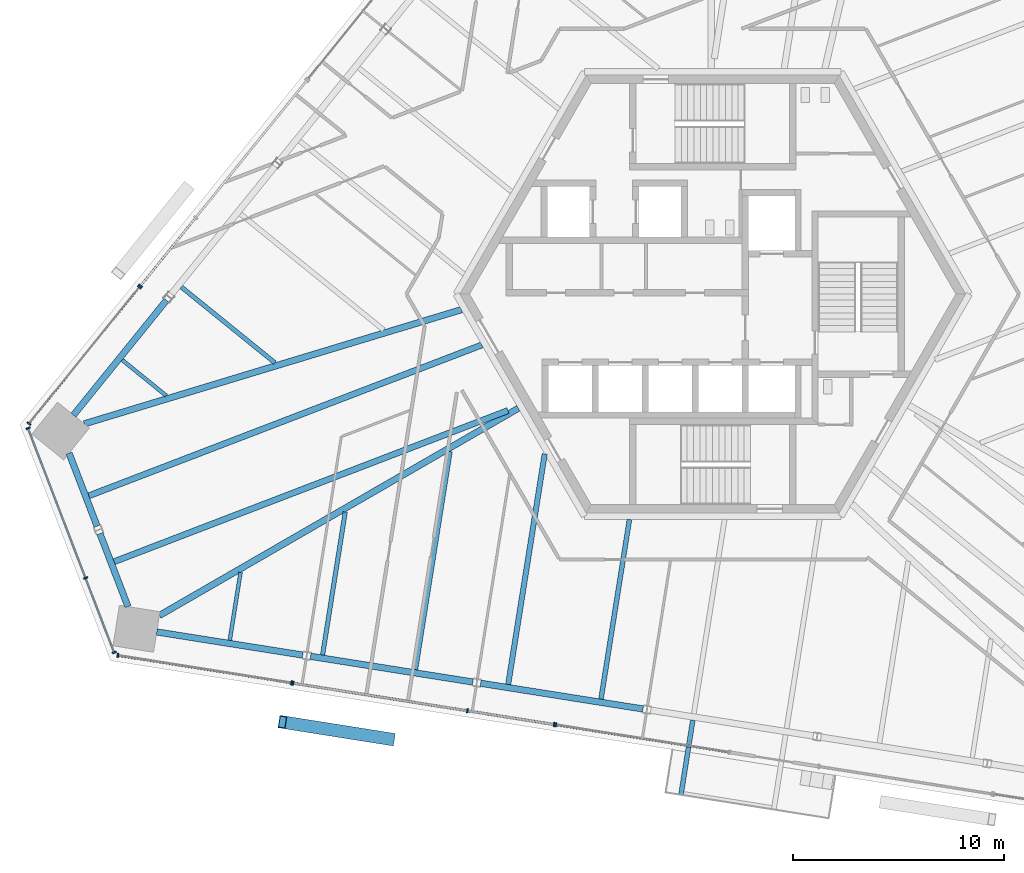
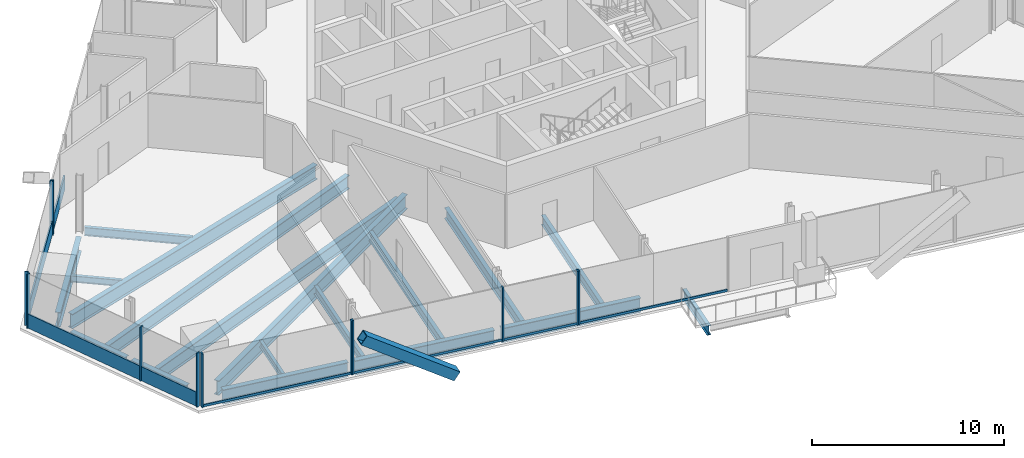
# One storey, part 4 of 19: 21 members, 18 beams, 6 elements without a shape of their own.
"""IFC4 building model written with IfcOpenShell, lengths in metres."""

from ifc_helpers import new_model, si_unit, direction, frame, origin, origin_2d, place, context, subcontext, project, spatial, rectangle, hollow_rectangle, i_section, extrude, source, transform, mapped, material, material_profile, profile_set, type_object, element, aggregate, save


model = new_model("IFC4")

# Units and contexts
model_context = context("Model", 3, precision=1e-05, world=origin(), true_north=direction((0.0, 1.0)))
body_context = subcontext(model_context, "Body", "Model", "MODEL_VIEW")
ifc_project = project(units=[si_unit("LENGTHUNIT", "METRE"), si_unit("AREAUNIT", "SQUARE_METRE"), si_unit("VOLUMEUNIT", "CUBIC_METRE"), si_unit("PLANEANGLEUNIT", "RADIAN"), si_unit("MASSUNIT", "GRAM", prefix="KILO")], contexts=[model_context])

# Site, building, storey
site_placement = place(None, origin())
site = spatial("IfcSite", under=ifc_project, at=site_placement, CompositionType="ELEMENT")
building_placement = place(site_placement, origin())
building = spatial("IfcBuilding", under=site, at=building_placement, Name="Triune Harvest Tower", CompositionType="ELEMENT")
storey_placement = place(building_placement, frame((0.0, 0.0, 164.10009765625)))
storey = spatial("IfcBuildingStorey", under=building, at=storey_placement, Name="L42", CompositionType="ELEMENT", Elevation=164.10009765625)

# Curtain wall, member
ifc_material_1 = material(Name="Aluminium bronze anodised", Category="aluminium")
curtain_wall_type_1 = type_object("IfcCurtainWallType", Name="CW-10 Balcony window wall with insulated spandrel infill", PredefinedType="NOTDEFINED", material=ifc_material_1)
curtain_wall_1_placement = place(storey_placement, origin())
curtain_wall_1 = element("IfcCurtainWall", 1, at=curtain_wall_1_placement, inside=storey, type_object=curtain_wall_type_1, Name="CW-10 B4-F5 L42 run 1001")
ifc_material_2 = material(Name="Aluminium bronze anodised", Category="aluminium")
ifc_material_profile_1 = material_profile(ifc_material_2, rectangle(XDim=0.090087890625, YDim=0.14990234375, at=origin_2d()), Name="TR-6 transom 90 x 150")
ifc_profile_set_1 = profile_set([ifc_material_profile_1], Name="Aluminium bronze anodised")
member_type_1 = type_object("IfcMemberType", Name="TR-6 transom 90 x 150", PredefinedType="USERDEFINED", material=ifc_profile_set_1)
member_1_placement = place(storey_placement, frame((-19.879150390625, -18.46826171875, 0.074951171875), z_axis=(0.987688001142, -0.156436608248, 0.0), x_axis=(0.156436608248, 0.987688001142, 0.0)))
member_1 = element("IfcMember", 2, at=member_1_placement, type_object=member_type_1, Name="CW-10 transom B4-F5 1001.1", ObjectType="TRANSOM", PredefinedType="USERDEFINED", context=body_context, shape_type="SweptSolid", body=[
    extrude(rectangle(XDim=0.090087890625, YDim=0.14990234375, at=origin_2d()), origin(), (0.0, 0.0, 1.0), 8.30419921875),
])

# Beams
ifc_material_3 = material(Name="Steel ASTM A992 Gr 50", Category="steel")
ifc_material_profile_2 = material_profile(ifc_material_3, i_section(OverallWidth=0.3046875, OverallDepth=0.914306640625, WebThickness=0.0166015625, FlangeThickness=0.02587890625, at=origin_2d()), Name="W36x160")
ifc_profile_set_2 = profile_set([ifc_material_profile_2], Name="Steel ASTM A992 Gr 50")
beam_type_1 = type_object("IfcBeamType", Name="SB-1 Spandrel beam W36x160", PredefinedType="SPANDREL", material=ifc_profile_set_2)
shared_shape_1 = source(origin(), body_context, "Body", "SweptSolid", [
    extrude(i_section(OverallWidth=0.3046875, OverallDepth=0.914306640625, WebThickness=0.0166015625, FlangeThickness=0.02587890625, at=origin_2d()), origin(), (0.0, 0.0, 1.0), 7.013427734375),
])
for number, where, z_axis, x_axis, name in (
    (3, (-25.920166015625, -0.2890625, -0.6171875), (-0.629311381255, -0.777153257358, 0.0), (0.777153257358, -0.629311381255, 0.0), "beam/L42/SB14"),
    (4, (-26.3828125, -16.031982421875, -0.6171875), (0.987682109987, -0.156473798484, 0.0), (0.156473798484, 0.987682109987, 0.0), "beam/L42/SB17"),
):
    element("IfcBeam", number, at=place(storey_placement, frame(where, z_axis=z_axis, x_axis=x_axis)), inside=storey, type_object=beam_type_1, Name=name, PredefinedType="SPANDREL", context=body_context, shape_type="MappedRepresentation", body=[
        mapped(shared_shape_1, transform((0.0, 0.0, 0.0), scale=1.0)),
    ])
shared_shape_2 = source(origin(), body_context, "Body", "SweptSolid", [
    extrude(i_section(OverallWidth=0.3046875, OverallDepth=0.914306640625, WebThickness=0.0166015625, FlangeThickness=0.02587890625, at=origin_2d()), origin(), (0.0, 0.0, 1.0), 3.71240234375),
])
beam_1_placement = place(storey_placement, frame((-30.5439453125, -7.548095703125, -0.6171875), z_axis=(0.358406131368, -0.933565768973, 0.0), x_axis=(0.933565768973, 0.358406131368, 0.0)))
element("IfcBeam", 5, at=beam_1_placement, inside=storey, type_object=beam_type_1, Name="beam/L42/SB15", PredefinedType="SPANDREL", context=body_context, shape_type="MappedRepresentation", body=[
    mapped(shared_shape_2, transform((0.0, 0.0, 0.0), scale=1.0)),
])
shared_shape_3 = source(origin(), body_context, "Body", "SweptSolid", [
    extrude(i_section(OverallWidth=0.3046875, OverallDepth=0.914306640625, WebThickness=0.0166015625, FlangeThickness=0.02587890625, at=origin_2d()), origin(), (0.0, 0.0, 1.0), 7.801513671875),
])
for number, where, z_axis, x_axis, name in (
    (6, (-19.087158203125, -17.187744140625, -0.6171875), (0.98768800071, -0.156436610974, 0.0), (0.156436610974, 0.98768800071, 0.0), "beam/L42/SB18"),
    (7, (-11.0126953125, -18.466552734375, -0.6171875), (0.98768800071, -0.156436610974, 0.0), (0.156436610974, 0.98768800071, 0.0), "beam/L42/SB19"),
):
    element("IfcBeam", number, at=place(storey_placement, frame(where, z_axis=z_axis, x_axis=x_axis)), inside=storey, type_object=beam_type_1, Name=name, PredefinedType="SPANDREL", context=body_context, shape_type="MappedRepresentation", body=[
        mapped(shared_shape_3, transform((0.0, 0.0, 0.0), scale=1.0)),
    ])
shared_shape_4 = source(origin(), body_context, "Body", "SweptSolid", [
    extrude(i_section(OverallWidth=0.3046875, OverallDepth=0.914306640625, WebThickness=0.0166015625, FlangeThickness=0.02587890625, at=origin_2d()), origin(), (0.0, 0.0, 1.0), 3.712646484375),
])
beam_2_placement = place(storey_placement, frame((-29.07958984375, -11.362548828125, -0.6171875), z_axis=(0.358326814132, -0.933596215863, 0.0), x_axis=(0.933596215863, 0.358326814132, 0.0)))
element("IfcBeam", 8, at=beam_2_placement, inside=storey, type_object=beam_type_1, Name="beam/L42/SB16", PredefinedType="SPANDREL", context=body_context, shape_type="MappedRepresentation", body=[
    mapped(shared_shape_4, transform((0.0, 0.0, 0.0), scale=1.0)),
])
ifc_material_4 = material(Name="Steel ASTM A992 Gr 50", Category="steel")
ifc_material_profile_3 = material_profile(ifc_material_4, i_section(OverallWidth=0.307373046875, OverallDepth=0.922119140625, WebThickness=0.018310546875, FlangeThickness=0.030029296875, at=origin_2d()), Name="W36x182")
ifc_profile_set_3 = profile_set([ifc_material_profile_3], Name="Steel ASTM A992 Gr 50")
beam_type_2 = type_object("IfcBeamType", Name="HG-2 Hip girder W36x182", PredefinedType="BEAM", material=ifc_profile_set_3)
shared_shape_5 = source(origin(), body_context, "Body", "SweptSolid", [
    extrude(i_section(OverallWidth=0.307373046875, OverallDepth=0.922119140625, WebThickness=0.018310546875, FlangeThickness=0.030029296875, at=origin_2d()), origin(), (0.0, 0.0, 1.0), 19.670166015625),
])
beam_3_placement = place(storey_placement, frame((-26.25927734375, -15.252197265625, -0.62109375), z_axis=(0.866028709221, 0.499994274773, 0.0), x_axis=(-0.499994274773, 0.866028709221, 0.0)))
element("IfcBeam", 9, at=beam_3_placement, inside=storey, type_object=beam_type_2, Name="beam/L42/HG6", PredefinedType="BEAM", context=body_context, shape_type="MappedRepresentation", body=[
    mapped(shared_shape_5, transform((0.0, 0.0, 0.0), scale=1.0)),
])
shared_shape_6 = source(origin(), body_context, "Body", "SweptSolid", [
    extrude(i_section(OverallWidth=0.307373046875, OverallDepth=0.922119140625, WebThickness=0.018310546875, FlangeThickness=0.030029296875, at=origin_2d()), origin(), (0.0, 0.0, 1.0), 18.69580078125),
])
beam_4_placement = place(storey_placement, frame((-29.819580078125, -6.15576171875, -0.62109375), z_axis=(0.957096860763, 0.289768181686, 0.0), x_axis=(-0.289768181686, 0.957096860763, 0.0)))
element("IfcBeam", 10, at=beam_4_placement, inside=storey, type_object=beam_type_2, Name="beam/L42/HG5", PredefinedType="BEAM", context=body_context, shape_type="MappedRepresentation", body=[
    mapped(shared_shape_6, transform((0.0, 0.0, 0.0), scale=1.0)),
])
ifc_material_5 = material(Name="Steel ASTM A992 Gr 50", Category="steel")
ifc_material_profile_4 = material_profile(ifc_material_5, i_section(OverallWidth=0.2099609375, OverallDepth=0.535888671875, WebThickness=0.010986328125, FlangeThickness=0.017333984375, at=origin_2d()), Name="W21x68")
ifc_profile_set_4 = profile_set([ifc_material_profile_4], Name="Steel ASTM A992 Gr 50")
beam_type_3 = type_object("IfcBeamType", Name="JT-2 Floor joist W21x68", PredefinedType="JOIST", material=ifc_profile_set_4)
shared_shape_7 = source(origin(), body_context, "Body", "SweptSolid", [
    extrude(i_section(OverallWidth=0.2099609375, OverallDepth=0.535888671875, WebThickness=0.010986328125, FlangeThickness=0.017333984375, at=origin_2d()), origin(), (0.0, 0.0, 1.0), 6.871826171875),
])
beam_5_placement = place(storey_placement, frame((-18.513671875, -17.124267578125, -0.427978515625), z_axis=(0.156431434427, 0.987688820592, 0.0), x_axis=(-0.987688820592, 0.156431434427, 0.0)))
element("IfcBeam", 11, at=beam_5_placement, inside=storey, type_object=beam_type_3, Name="beam/L42/JT26", PredefinedType="JOIST", context=body_context, shape_type="MappedRepresentation", body=[
    mapped(shared_shape_7, transform((0.0, 0.0, 0.0), scale=1.0)),
])
ifc_material_6 = material(Name="Steel ASTM A992 Gr 50", Category="steel")
ifc_material_profile_5 = material_profile(ifc_material_6, i_section(OverallWidth=0.22900390625, OverallDepth=0.612060546875, WebThickness=0.011962890625, FlangeThickness=0.01953125, at=origin_2d()), Name="W24x84")
ifc_profile_set_5 = profile_set([ifc_material_profile_5], Name="Steel ASTM A992 Gr 50")
beam_type_4 = type_object("IfcBeamType", Name="JT-3 Floor joist W24x84", PredefinedType="JOIST", material=ifc_profile_set_5)
shared_shape_8 = source(origin(), body_context, "Body", "SweptSolid", [
    extrude(i_section(OverallWidth=0.22900390625, OverallDepth=0.612060546875, WebThickness=0.011962890625, FlangeThickness=0.01953125, at=origin_2d()), origin(), (0.0, 0.0, 1.0), 10.482666015625),
])
beam_6_placement = place(storey_placement, frame((-14.109375, -17.82177734375, -0.46630859375), z_axis=(0.156439750993, 0.987687503368, 0.0), x_axis=(-0.987687503368, 0.156439750993, 0.0)))
element("IfcBeam", 12, at=beam_6_placement, inside=storey, type_object=beam_type_4, Name="beam/L42/JT27", PredefinedType="JOIST", context=body_context, shape_type="MappedRepresentation", body=[
    mapped(shared_shape_8, transform((0.0, 0.0, 0.0), scale=1.0)),
])
ifc_material_7 = material(Name="Steel ASTM A992 Gr 50", Category="steel")
ifc_material_profile_6 = material_profile(ifc_material_7, i_section(OverallWidth=0.180908203125, OverallDepth=0.41650390625, WebThickness=0.010986328125, FlangeThickness=0.01806640625, at=origin_2d()), Name="W16x57")
ifc_profile_set_6 = profile_set([ifc_material_profile_6], Name="Steel ASTM A992 Gr 50")
beam_type_5 = type_object("IfcBeamType", Name="JT-1 Floor joist W16x57", PredefinedType="JOIST", material=ifc_profile_set_6)
shared_shape_9 = source(origin(), body_context, "Body", "SweptSolid", [
    extrude(i_section(OverallWidth=0.180908203125, OverallDepth=0.41650390625, WebThickness=0.010986328125, FlangeThickness=0.01806640625, at=origin_2d()), origin(), (0.0, 0.0, 1.0), 2.687255859375),
])
beam_7_placement = place(storey_placement, frame((-28.022705078125, -3.127685546875, -0.368408203125), z_axis=(0.777141190223, -0.629326282987, 0.0), x_axis=(0.629326282987, 0.777141190223, 0.0)))
element("IfcBeam", 13, at=beam_7_placement, inside=storey, type_object=beam_type_5, Name="beam/L42/JT22", PredefinedType="JOIST", context=body_context, shape_type="MappedRepresentation", body=[
    mapped(shared_shape_9, transform((0.0, 0.0, 0.0), scale=1.0)),
])
ifc_material_8 = material(Name="Steel ASTM A992 Gr 50", Category="steel")
ifc_material_profile_7 = material_profile(ifc_material_8, i_section(OverallWidth=0.2919921875, OverallDepth=0.8583984375, WebThickness=0.01708984375, FlangeThickness=0.031005859375, at=origin_2d()), Name="W33x169")
ifc_profile_set_7 = profile_set([ifc_material_profile_7], Name="Steel ASTM A992 Gr 50")
beam_type_6 = type_object("IfcBeamType", Name="JT-7 Floor joist W33x169", PredefinedType="JOIST", material=ifc_profile_set_7)
shared_shape_10 = source(origin(), body_context, "Body", "SweptSolid", [
    extrude(i_section(OverallWidth=0.2919921875, OverallDepth=0.8583984375, WebThickness=0.01708984375, FlangeThickness=0.031005859375, at=origin_2d()), origin(), (0.0, 0.0, 1.0), 19.97216796875),
])
beam_8_placement = place(storey_placement, frame((-29.6044921875, -9.570068359375, -0.58935546875), z_axis=(0.933578234713, 0.358373659287, 0.0), x_axis=(-0.358373659287, 0.933578234713, 0.0)))
element("IfcBeam", 14, at=beam_8_placement, inside=storey, type_object=beam_type_6, Name="beam/L42/JT23", PredefinedType="JOIST", context=body_context, shape_type="MappedRepresentation", body=[
    mapped(shared_shape_10, transform((0.0, 0.0, 0.0), scale=1.0)),
])
shared_shape_11 = source(origin(), body_context, "Body", "SweptSolid", [
    extrude(i_section(OverallWidth=0.180908203125, OverallDepth=0.41650390625, WebThickness=0.010986328125, FlangeThickness=0.01806640625, at=origin_2d()), origin(), (0.0, 0.0, 1.0), 3.2607421875),
])
beam_9_placement = place(storey_placement, frame((-22.917724609375, -16.4267578125, -0.368408203125), z_axis=(0.156404699139, 0.987693054591, 0.0), x_axis=(-0.987693054591, 0.156404699139, 0.0)))
element("IfcBeam", 15, at=beam_9_placement, inside=storey, type_object=beam_type_5, Name="beam/L42/JT25", PredefinedType="JOIST", context=body_context, shape_type="MappedRepresentation", body=[
    mapped(shared_shape_11, transform((0.0, 0.0, 0.0), scale=1.0)),
])
ifc_material_9 = material(Name="Steel ASTM A992 Gr 50", Category="steel")
ifc_material_profile_8 = material_profile(ifc_material_9, i_section(OverallWidth=0.253662109375, OverallDepth=0.683349609375, WebThickness=0.012451171875, FlangeThickness=0.01904296875, at=origin_2d()), Name="W27x94")
ifc_profile_set_8 = profile_set([ifc_material_profile_8], Name="Steel ASTM A992 Gr 50")
beam_type_7 = type_object("IfcBeamType", Name="JT-4 Floor joist W27x94", PredefinedType="JOIST", material=ifc_profile_set_8)
shared_shape_12 = source(origin(), body_context, "Body", "SweptSolid", [
    extrude(i_section(OverallWidth=0.253662109375, OverallDepth=0.683349609375, WebThickness=0.012451171875, FlangeThickness=0.01904296875, at=origin_2d()), origin(), (0.0, 0.0, 1.0), 11.0712890625),
])
beam_10_placement = place(storey_placement, frame((-9.705078125, -18.519287109375, -0.501708984375), z_axis=(0.156433624309, 0.987688473753, 0.0), x_axis=(-0.987688473753, 0.156433624309, 0.0)))
element("IfcBeam", 16, at=beam_10_placement, inside=storey, type_object=beam_type_7, Name="beam/L42/JT28", PredefinedType="JOIST", context=body_context, shape_type="MappedRepresentation", body=[
    mapped(shared_shape_12, transform((0.0, 0.0, 0.0), scale=1.0)),
])
shared_shape_13 = source(origin(), body_context, "Body", "SweptSolid", [
    extrude(i_section(OverallWidth=0.22900390625, OverallDepth=0.612060546875, WebThickness=0.011962890625, FlangeThickness=0.01953125, at=origin_2d()), origin(), (0.0, 0.0, 1.0), 8.6259765625),
])
beam_11_placement = place(storey_placement, frame((-5.301025390625, -19.216796875, -0.46630859375), z_axis=(0.156430549504, 0.987688960747, 0.0), x_axis=(-0.987688960747, 0.156430549504, 0.0)))
element("IfcBeam", 17, at=beam_11_placement, inside=storey, type_object=beam_type_4, Name="beam/L42/JT29", PredefinedType="JOIST", context=body_context, shape_type="MappedRepresentation", body=[
    mapped(shared_shape_13, transform((0.0, 0.0, 0.0), scale=1.0)),
])
shared_shape_14 = source(origin(), body_context, "Body", "SweptSolid", [
    extrude(i_section(OverallWidth=0.2099609375, OverallDepth=0.535888671875, WebThickness=0.010986328125, FlangeThickness=0.017333984375, at=origin_2d()), origin(), (0.0, 0.0, 1.0), 5.71240234375),
])
beam_12_placement = place(storey_placement, frame((-25.216552734375, 0.337646484375, -0.427978515625), z_axis=(0.777148320449, -0.629317477926, 0.0), x_axis=(0.629317477926, 0.777148320449, 0.0)))
element("IfcBeam", 18, at=beam_12_placement, inside=storey, type_object=beam_type_3, Name="beam/L42/JT21", PredefinedType="JOIST", context=body_context, shape_type="MappedRepresentation", body=[
    mapped(shared_shape_14, transform((0.0, 0.0, 0.0), scale=1.0)),
])
shared_shape_15 = source(origin(), body_context, "Body", "SweptSolid", [
    extrude(i_section(OverallWidth=0.2919921875, OverallDepth=0.8583984375, WebThickness=0.01708984375, FlangeThickness=0.031005859375, at=origin_2d()), origin(), (0.0, 0.0, 1.0), 20.01611328125),
])
beam_13_placement = place(storey_placement, frame((-28.404052734375, -12.697509765625, -0.58935546875), z_axis=(0.933581802132, 0.358364365875, 0.0), x_axis=(-0.358364365875, 0.933581802132, 0.0)))
element("IfcBeam", 19, at=beam_13_placement, inside=storey, type_object=beam_type_6, Name="beam/L42/JT24", PredefinedType="JOIST", context=body_context, shape_type="MappedRepresentation", body=[
    mapped(shared_shape_15, transform((0.0, 0.0, 0.0), scale=1.0)),
])

# Member
ifc_material_10 = material(Name="Steel ASTM A572 Gr 50", Category="steel")
ifc_material_profile_9 = material_profile(ifc_material_10, hollow_rectangle(XDim=0.60009765625, YDim=0.60009765625, WallThickness=0.0400390625, at=origin_2d()), Name="Box 600x600x40")
ifc_profile_set_9 = profile_set([ifc_material_profile_9], Name="Steel ASTM A572 Gr 50")
member_type_2 = type_object("IfcMemberType", Name="BR-2 Brace Box 600x600x40", PredefinedType="BRACE", material=ifc_profile_set_9)
shared_shape_16 = source(origin(), body_context, "Body", "SweptSolid", [
    extrude(hollow_rectangle(XDim=0.60009765625, YDim=0.60009765625, WallThickness=0.0400390625, at=origin_2d()), origin(), (0.0, 0.0, 1.0), 6.3291015625),
])
member_2_placement = place(storey_placement, frame((-15.27587890625, -21.12109375, 0.0), z_axis=(-0.812366326234, 0.12868252917, 0.568772150063), x_axis=(-0.15645384908, -0.98768527027, 0.0)))
element("IfcMember", 20, at=member_2_placement, inside=storey, type_object=member_type_2, Name="brace/B4-F5/d2/8", PredefinedType="BRACE", context=body_context, shape_type="MappedRepresentation", body=[
    mapped(shared_shape_16, transform((0.0, 0.0, 0.0), scale=1.0)),
])

# Curtain wall, member
ifc_material_11 = material(Name="Aluminium bronze anodised", Category="aluminium")
curtain_wall_type_2 = type_object("IfcCurtainWallType", Name="CW-7 Tower stick curtain wall with insulated spandrel infill", PredefinedType="NOTDEFINED", material=ifc_material_11)
curtain_wall_2_placement = place(storey_placement, origin())
curtain_wall_2 = element("IfcCurtainWall", 21, at=curtain_wall_2_placement, inside=storey, type_object=curtain_wall_type_2, Name="CW-7 B4-F3 L42 run 3001")
ifc_material_12 = material(Name="Aluminium bronze anodised", Category="aluminium")
ifc_material_profile_10 = material_profile(ifc_material_12, rectangle(XDim=0.199951171875, YDim=0.074951171875, at=origin_2d()), Name="MU-1 mullion 75 x 200")
ifc_profile_set_10 = profile_set([ifc_material_profile_10], Name="Aluminium bronze anodised")
member_type_3 = type_object("IfcMemberType", Name="MU-1 mullion 75 x 200", PredefinedType="MULLION", material=ifc_profile_set_10)
shared_shape_17 = source(origin(), body_context, "Body", "SweptSolid", [
    extrude(rectangle(XDim=0.199951171875, YDim=0.074951171875, at=origin_2d()), origin(), (0.0, 0.0, 1.0), 3.43994140625),
])
member_3_placement = place(storey_placement, frame((-27.156982421875, 0.390380859375, 0.0), z_axis=(0.0, 0.0, 1.0), x_axis=(0.777145386459, -0.629321101112, 0.0)))
member_3 = element("IfcMember", 22, at=member_3_placement, type_object=member_type_3, Name="CW-7 mullion B4-F3 3001.4", PredefinedType="MULLION", context=body_context, shape_type="MappedRepresentation", body=[
    mapped(shared_shape_17, transform((0.0, 0.0, 0.0), scale=1.0)),
])

# Curtain wall, members
ifc_material_13 = material(Name="Aluminium bronze anodised", Category="aluminium")
curtain_wall_type_3 = type_object("IfcCurtainWallType", Name="CW-1 Tower stick curtain wall", PredefinedType="NOTDEFINED", material=ifc_material_13)
curtain_wall_3_placement = place(storey_placement, origin())
curtain_wall_3 = element("IfcCurtainWall", 23, at=curtain_wall_3_placement, inside=storey, type_object=curtain_wall_type_3, Name="CW-1 B4-F3 L42 run 4001")
member_4_placement = place(storey_placement, frame((-27.2041015625, 0.332275390625, 0.0), z_axis=(0.0, 0.0, 1.0), x_axis=(0.777142947484, -0.629324112978, 0.0)))
member_4 = element("IfcMember", 24, at=member_4_placement, type_object=member_type_3, Name="CW-1 mullion B4-F3 4001.1", PredefinedType="MULLION", context=body_context, shape_type="MappedRepresentation", body=[
    mapped(shared_shape_17, transform((0.0, 0.0, 0.0), scale=1.0)),
])
member_5_placement = place(storey_placement, frame((-32.451171875, -6.147216796875, 0.0), z_axis=(0.0, 0.0, 1.0), x_axis=(0.777142947484, -0.629324112978, 0.0)))
member_5 = element("IfcMember", 25, at=member_5_placement, type_object=member_type_3, Name="CW-1 mullion B4-F3 4001.3", PredefinedType="MULLION", context=body_context, shape_type="MappedRepresentation", body=[
    mapped(shared_shape_17, transform((0.0, 0.0, 0.0), scale=1.0)),
])

curtain_wall_4_placement = place(storey_placement, origin())
curtain_wall_4 = element("IfcCurtainWall", 26, at=curtain_wall_4_placement, inside=storey, type_object=curtain_wall_type_3, Name="CW-1 B4-F4 L42 run 1")
member_6_placement = place(storey_placement, frame((-32.485595703125, -6.365234375, 0.0), z_axis=(0.0, 0.0, 1.0), x_axis=(0.933580057745, 0.358368910177, 0.0)))
member_6 = element("IfcMember", 27, at=member_6_placement, type_object=member_type_3, Name="CW-1 mullion B4-F4 1.1", PredefinedType="MULLION", context=body_context, shape_type="MappedRepresentation", body=[
    mapped(shared_shape_17, transform((0.0, 0.0, 0.0), scale=1.0)),
])
member_7_placement = place(storey_placement, frame((-29.7578125, -13.47119140625, 0.0), z_axis=(0.0, 0.0, 1.0), x_axis=(0.933580057745, 0.358368910177, 0.0)))
member_7 = element("IfcMember", 28, at=member_7_placement, type_object=member_type_3, Name="CW-1 mullion B4-F4 1.3", PredefinedType="MULLION", context=body_context, shape_type="MappedRepresentation", body=[
    mapped(shared_shape_17, transform((0.0, 0.0, 0.0), scale=1.0)),
])
member_8_placement = place(storey_placement, frame((-28.400634765625, -17.0068359375, 0.0), z_axis=(0.0, 0.0, 1.0), x_axis=(0.933580057745, 0.358368910177, 0.0)))
member_8 = element("IfcMember", 29, at=member_8_placement, type_object=member_type_3, Name="CW-1 mullion B4-F4 1.4", PredefinedType="MULLION", context=body_context, shape_type="MappedRepresentation", body=[
    mapped(shared_shape_17, transform((0.0, 0.0, 0.0), scale=1.0)),
])

ifc_material_14 = material(Name="Aluminium bronze anodised", Category="aluminium")
curtain_wall_type_4 = type_object("IfcCurtainWallType", Name="CW-6 Balcony window wall", PredefinedType="NOTDEFINED", material=ifc_material_14)
curtain_wall_5_placement = place(storey_placement, origin())
curtain_wall_5 = element("IfcCurtainWall", 30, at=curtain_wall_5_placement, inside=storey, type_object=curtain_wall_type_4, Name="CW-6 B4-F5 L42 run 1")
ifc_material_15 = material(Name="Aluminium bronze anodised", Category="aluminium")
ifc_material_profile_11 = material_profile(ifc_material_15, rectangle(XDim=0.199951171875, YDim=0.074951171875, at=origin_2d()), Name="MU-6 mullion 75 x 200")
ifc_profile_set_11 = profile_set([ifc_material_profile_11], Name="Aluminium bronze anodised")
member_type_4 = type_object("IfcMemberType", Name="MU-6 mullion 75 x 200", PredefinedType="MULLION", material=ifc_profile_set_11)
shared_shape_18 = source(origin(), body_context, "Body", "SweptSolid", [
    extrude(rectangle(XDim=0.199951171875, YDim=0.074951171875, at=origin_2d()), origin(), (0.0, 0.0, 1.0), 3.43994140625),
])
member_9_placement = place(storey_placement, frame((-28.22900390625, -17.145751953125, 0.0), z_axis=(0.0, 0.0, 1.0), x_axis=(0.156432791621, 0.987688605637, 0.0)))
member_9 = element("IfcMember", 31, at=member_9_placement, type_object=member_type_4, Name="CW-6 mullion B4-F5 1.1", PredefinedType="MULLION", context=body_context, shape_type="MappedRepresentation", body=[
    mapped(shared_shape_18, transform((0.0, 0.0, 0.0), scale=1.0)),
])
member_10_placement = place(storey_placement, frame((-19.990234375, -18.45068359375, 0.0), z_axis=(0.0, 0.0, 1.0), x_axis=(0.156432791621, 0.987688605637, 0.0)))
member_10 = element("IfcMember", 32, at=member_10_placement, type_object=member_type_4, Name="CW-6 mullion B4-F5 1.3", PredefinedType="MULLION", context=body_context, shape_type="MappedRepresentation", body=[
    mapped(shared_shape_18, transform((0.0, 0.0, 0.0), scale=1.0)),
])

# Member
member_11_placement = place(storey_placement, frame((-19.916259765625, -18.46240234375, 0.0), z_axis=(0.0, 0.0, 1.0), x_axis=(0.156437637752, 0.987687838082, 0.0)))
member_11 = element("IfcMember", 33, at=member_11_placement, type_object=member_type_4, Name="CW-10 mullion B4-F5 1001.1", PredefinedType="MULLION", context=body_context, shape_type="MappedRepresentation", body=[
    mapped(shared_shape_18, transform((0.0, 0.0, 0.0), scale=1.0)),
])

member_12_placement = place(storey_placement, frame((-11.640380859375, -19.773193359375, 0.0), z_axis=(0.0, 0.0, 1.0), x_axis=(0.156437637752, 0.987687838082, 0.0)))
member_12 = element("IfcMember", 34, at=member_12_placement, type_object=member_type_4, Name="CW-10 mullion B4-F5 1001.3", PredefinedType="MULLION", context=body_context, shape_type="MappedRepresentation", body=[
    mapped(shared_shape_18, transform((0.0, 0.0, 0.0), scale=1.0)),
])

member_13_placement = place(storey_placement, frame((-7.520751953125, -20.425537109375, 0.0), z_axis=(0.0, 0.0, 1.0), x_axis=(0.156437637752, 0.987687838082, 0.0)))
member_13 = element("IfcMember", 35, at=member_13_placement, type_object=member_type_4, Name="CW-10 mullion B4-F5 1001.4", PredefinedType="MULLION", context=body_context, shape_type="MappedRepresentation", body=[
    mapped(shared_shape_18, transform((0.0, 0.0, 0.0), scale=1.0)),
])

# Curtain wall, member
curtain_wall_6_placement = place(storey_placement, origin())
curtain_wall_6 = element("IfcCurtainWall", 36, at=curtain_wall_6_placement, inside=storey, type_object=curtain_wall_type_4, Name="CW-6 B4-F5 L42 run 2001")
member_14_placement = place(storey_placement, frame((-7.44677734375, -20.437255859375, 0.0), z_axis=(0.0, 0.0, 1.0), x_axis=(0.156433162316, 0.987688546926, 0.0)))
member_14 = element("IfcMember", 37, at=member_14_placement, type_object=member_type_4, Name="CW-6 mullion B4-F5 2001.1", PredefinedType="MULLION", context=body_context, shape_type="MappedRepresentation", body=[
    mapped(shared_shape_18, transform((0.0, 0.0, 0.0), scale=1.0)),
])

# Beam
ifc_material_16 = material(Name="Steel ASTM A992 Gr 50", Category="steel")
ifc_material_profile_12 = material_profile(ifc_material_16, i_section(OverallWidth=0.22900390625, OverallDepth=0.612060546875, WebThickness=0.011962890625, FlangeThickness=0.01953125, at=origin_2d()), Name="W24x84")
ifc_profile_set_12 = profile_set([ifc_material_profile_12], Name="Steel ASTM A992 Gr 50")
beam_type_8 = type_object("IfcBeamType", Name="BJ-3 Balcony cantilever joist W24x84", PredefinedType="JOIST", material=ifc_profile_set_12)
shared_shape_19 = source(origin(), body_context, "Body", "SweptSolid", [
    extrude(i_section(OverallWidth=0.22900390625, OverallDepth=0.612060546875, WebThickness=0.011962890625, FlangeThickness=0.01953125, at=origin_2d()), origin(), (0.0, 0.0, 1.0), 3.59765625),
])
beam_14_placement = place(storey_placement, frame((-0.944580078125, -20.21533203125, -0.46630859375), z_axis=(-0.156415563393, -0.987691334137, 0.0), x_axis=(0.987691334137, -0.156415563393, 0.0)))
element("IfcBeam", 38, at=beam_14_placement, inside=storey, type_object=beam_type_8, Name="Balcony cantilever joist B4-F5 L42.8b", PredefinedType="JOIST", context=body_context, shape_type="MappedRepresentation", body=[
    mapped(shared_shape_19, transform((0.0, 0.0, 0.0), scale=1.0)),
])

# Member
ifc_material_17 = material(Name="Aluminium bronze anodised", Category="aluminium")
ifc_material_profile_13 = material_profile(ifc_material_17, rectangle(XDim=0.090087890625, YDim=0.89990234375, at=origin_2d()), Name="TR-1 transom 90 x 900")
ifc_profile_set_13 = profile_set([ifc_material_profile_13], Name="Aluminium bronze anodised")
member_type_5 = type_object("IfcMemberType", Name="TR-1 transom 90 x 900", PredefinedType="USERDEFINED", material=ifc_profile_set_13)
shared_shape_20 = source(origin(), body_context, "Body", "SweptSolid", [
    extrude(rectangle(XDim=0.090087890625, YDim=0.89990234375, at=origin_2d()), origin(), (0.0, 0.0, 1.0), 3.7119140625),
])
member_15_placement = place(storey_placement, frame((-29.744384765625, -13.50634765625, 0.449951171875), z_axis=(0.358392822083, -0.933570878444, 0.0), x_axis=(0.933570878444, 0.358392822083, 0.0)))
member_15 = element("IfcMember", 39, at=member_15_placement, type_object=member_type_5, Name="CW-1 transom B4-F4 1.2", ObjectType="TRANSOM", PredefinedType="USERDEFINED", context=body_context, shape_type="MappedRepresentation", body=[
    mapped(shared_shape_20, transform((0.0, 0.0, 0.0), scale=1.0)),
])

shared_shape_21 = source(origin(), body_context, "Body", "SweptSolid", [
    extrude(rectangle(XDim=0.090087890625, YDim=0.89990234375, at=origin_2d()), origin(), (0.0, 0.0, 1.0), 7.53662109375),
])
member_16_placement = place(storey_placement, frame((-32.47216796875, -6.400146484375, 0.449951171875), z_axis=(0.358369036816, -0.933580009132, 0.0), x_axis=(0.933580009132, 0.358369036816, 0.0)))
member_16 = element("IfcMember", 40, at=member_16_placement, type_object=member_type_5, Name="CW-1 transom B4-F4 1.1", ObjectType="TRANSOM", PredefinedType="USERDEFINED", context=body_context, shape_type="MappedRepresentation", body=[
    mapped(shared_shape_21, transform((0.0, 0.0, 0.0), scale=1.0)),
])

aggregate(curtain_wall_4, [member_6, member_7, member_8, member_16, member_15])

shared_shape_22 = source(origin(), body_context, "Body", "SweptSolid", [
    extrude(rectangle(XDim=0.090087890625, YDim=0.89990234375, at=origin_2d()), origin(), (0.0, 0.0, 1.0), 8.26220703125),
])
member_17_placement = place(storey_placement, frame((-27.227783203125, 0.302978515625, 0.449951171875), z_axis=(-0.629332525108, -0.777136135334, 0.0), x_axis=(0.777136135334, -0.629332525108, 0.0)))
member_17 = element("IfcMember", 41, at=member_17_placement, type_object=member_type_5, Name="CW-1 transom B4-F3 4001.1", ObjectType="TRANSOM", PredefinedType="USERDEFINED", context=body_context, shape_type="MappedRepresentation", body=[
    mapped(shared_shape_22, transform((0.0, 0.0, 0.0), scale=1.0)),
])

aggregate(curtain_wall_3, [member_4, member_5, member_17])

shared_shape_23 = source(origin(), body_context, "Body", "SweptSolid", [
    extrude(rectangle(XDim=0.090087890625, YDim=0.89990234375, at=origin_2d()), origin(), (0.0, 0.0, 1.0), 4.093505859375),
])
member_18_placement = place(storey_placement, frame((-24.55712890625, 3.600830078125, 0.449951171875), z_axis=(-0.629338907342, -0.777130966894, 0.0), x_axis=(0.777130966894, -0.629338907342, 0.0)))
member_18 = element("IfcMember", 42, at=member_18_placement, type_object=member_type_5, Name="CW-7 transom B4-F3 3001.2", ObjectType="TRANSOM", PredefinedType="USERDEFINED", context=body_context, shape_type="MappedRepresentation", body=[
    mapped(shared_shape_23, transform((0.0, 0.0, 0.0), scale=1.0)),
])

aggregate(curtain_wall_2, [member_3, member_18])

shared_shape_24 = source(origin(), body_context, "Body", "SweptSolid", [
    extrude(rectangle(XDim=0.090087890625, YDim=0.14990234375, at=origin_2d()), origin(), (0.0, 0.0, 1.0), 4.095703125),
])
member_19_placement = place(storey_placement, frame((-11.603271484375, -19.779052734375, 0.074951171875), z_axis=(0.987692302127, -0.156409450862, 0.0), x_axis=(0.156409450862, 0.987692302127, 0.0)))
member_19 = element("IfcMember", 43, at=member_19_placement, type_object=member_type_1, Name="CW-10 transom B4-F5 1001.2", ObjectType="TRANSOM", PredefinedType="USERDEFINED", context=body_context, shape_type="MappedRepresentation", body=[
    mapped(shared_shape_24, transform((0.0, 0.0, 0.0), scale=1.0)),
])

aggregate(curtain_wall_1, [member_11, member_12, member_13, member_1, member_19])

shared_shape_25 = source(origin(), body_context, "Body", "SweptSolid", [
    extrude(rectangle(XDim=0.090087890625, YDim=0.14990234375, at=origin_2d()), origin(), (0.0, 0.0, 1.0), 8.2666015625),
])
member_20_placement = place(storey_placement, frame((-28.192138671875, -17.151611328125, 0.074951171875), z_axis=(0.987687659933, -0.156438762511, 0.0), x_axis=(0.156438762511, 0.987687659933, 0.0)))
member_20 = element("IfcMember", 44, at=member_20_placement, type_object=member_type_1, Name="CW-6 transom B4-F5 1.1", ObjectType="TRANSOM", PredefinedType="USERDEFINED", context=body_context, shape_type="MappedRepresentation", body=[
    mapped(shared_shape_25, transform((0.0, 0.0, 0.0), scale=1.0)),
])

aggregate(curtain_wall_5, [member_9, member_10, member_20])

member_21_placement = place(storey_placement, frame((-7.40966796875, -20.443115234375, 0.074951171875), z_axis=(0.987687659933, -0.156438762511, 0.0), x_axis=(0.156438762511, 0.987687659933, 0.0)))
member_21 = element("IfcMember", 45, at=member_21_placement, type_object=member_type_1, Name="CW-6 transom B4-F5 2001.1", ObjectType="TRANSOM", PredefinedType="USERDEFINED", context=body_context, shape_type="MappedRepresentation", body=[
    mapped(shared_shape_25, transform((0.0, 0.0, 0.0), scale=1.0)),
])

aggregate(curtain_wall_6, [member_14, member_21])

save(model, "model.ifc")
